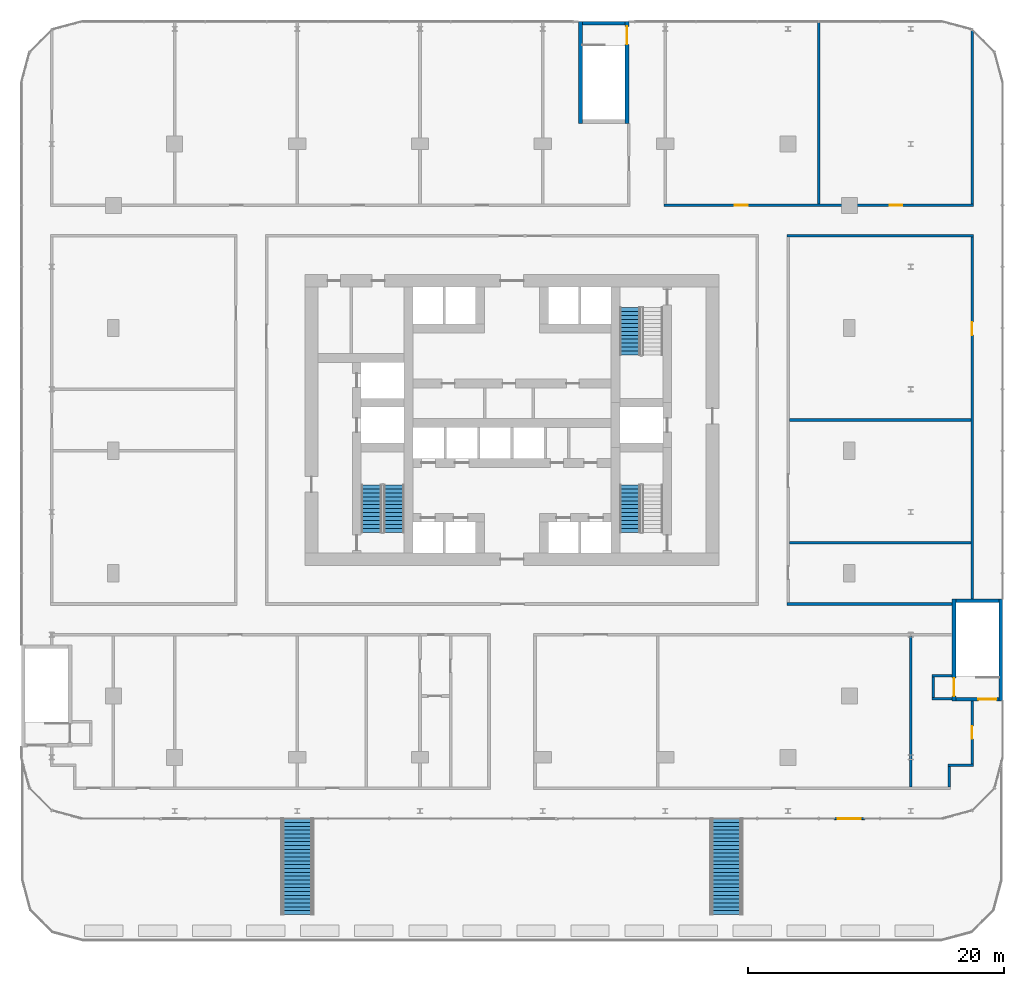
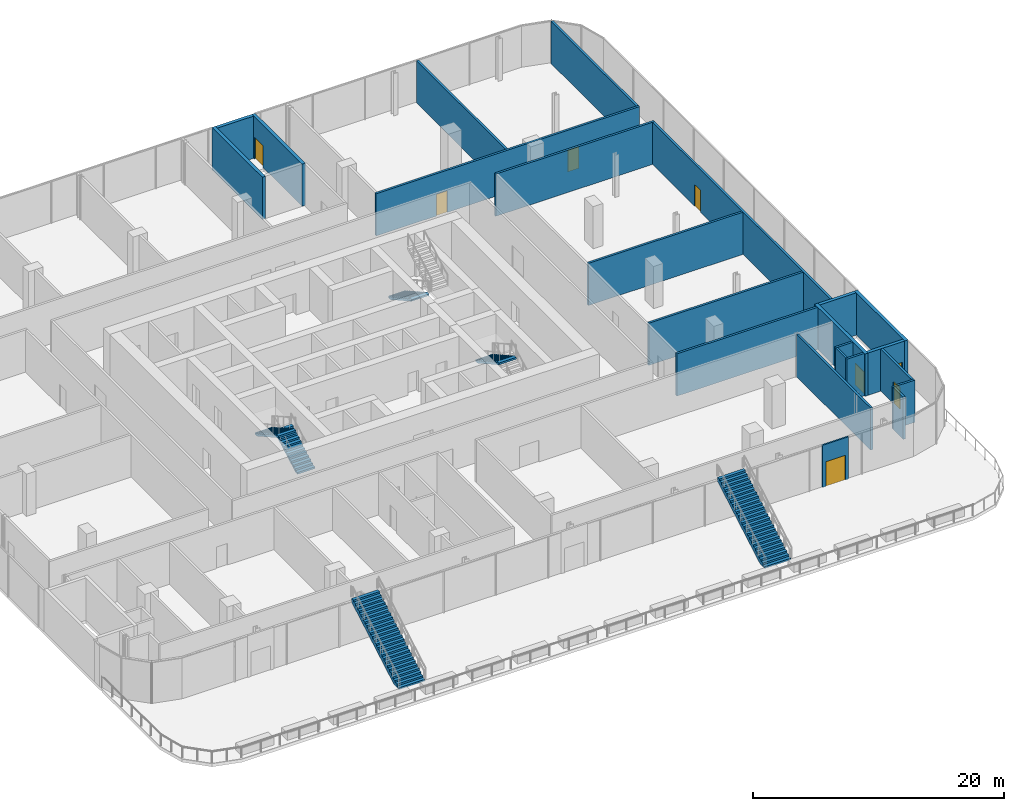
# One storey, part 25 of 32: 23 walls, 8 doors, 6 stair flights, 8 openings, 5 elements without a shape of their own.
"""IFC4 building model written with IfcOpenShell, lengths in metres."""

from ifc_helpers import new_model, si_unit, direction, frame, frame_2d, origin, place, context, subcontext, project, spatial, polyline, rectangle, outline, extrude, material, layer, layer_set, type_object, element, fill, aggregate, save


model = new_model("IFC4")

# Units and contexts
model_context = context("Model", 3, precision=1e-05, world=origin(), true_north=direction((0.0, 1.0)))
body_context = subcontext(model_context, "Body", "Model", "MODEL_VIEW")
ifc_project = project(units=[si_unit("LENGTHUNIT", "METRE"), si_unit("AREAUNIT", "SQUARE_METRE"), si_unit("VOLUMEUNIT", "CUBIC_METRE"), si_unit("PLANEANGLEUNIT", "RADIAN"), si_unit("MASSUNIT", "GRAM", prefix="KILO")], contexts=[model_context])

# Site, building, storey
site_placement = place(None, origin())
site = spatial("IfcSite", under=ifc_project, at=site_placement, CompositionType="ELEMENT")
building_placement = place(site_placement, origin())
building = spatial("IfcBuilding", under=site, at=building_placement, Name="Madar Terraces", CompositionType="ELEMENT")
storey_placement = place(building_placement, frame((0.0, 0.0, 19.5)))
storey = spatial("IfcBuildingStorey", under=building, at=storey_placement, Name="L04", CompositionType="ELEMENT", Elevation=19.5)

# Wall, opening, door
ifc_material_1 = material(Name="Aluminium composite panel, black, over insulated backing", Category="aluminium")
ifc_layer_1 = layer(ifc_material_1, 0.14990234375)
ifc_layer_set_1 = layer_set([ifc_layer_1], Name="Facade bay panel 150")
wall_type_1 = type_object("IfcWallType", Name="Facade bay panel 150", PredefinedType="SOLIDWALL", material=ifc_layer_set_1)
wall_1_placement = place(storey_placement, frame((56.39990234375, -4.800048828125, 0.0), z_axis=(0.0, 0.0, 1.0), x_axis=(1.0, 0.0, 0.0)))
wall_1 = element("IfcWall", 1, at=wall_1_placement, inside=storey, type_object=wall_type_1, Name="Facade bay panel", PredefinedType="SOLIDWALL", context=body_context, shape_type="SweptSolid", body=[
    extrude(rectangle(XDim=2.400146484375, YDim=0.14990234375, at=frame_2d((1.2001953125, 0.0))), origin(), (0.0, 0.0, 1.0), 4.10009765625),
])
opening_1_placement = place(wall_1_placement, frame((0.300048828125, 0.0, 0.0)))
opening_1 = element("IfcOpeningElement", 2, at=opening_1_placement, cuts=wall_1, Name="Opening ED1", PredefinedType="OPENING", context=body_context, shape_type="SweptSolid", body=[
    extrude(rectangle(XDim=1.800048828125, YDim=2.39990234375, at=frame_2d((0.89990234375, 1.199951171875))), frame((0.0, 0.0849609375, 0.0), z_axis=(0.0, -1.0, 0.0), x_axis=(1.0, 0.0, 0.0)), (0.0, 0.0, 1.0), 0.169921875),
])
ifc_material_2 = material(Name="Glass, clear, with black aluminium frame", Category="aluminium")
door_type_1 = type_object("IfcDoorType", Name="Balcony and terrace sliding door 1800 x 2400", OperationType="SLIDING_TO_LEFT", PredefinedType="DOOR", material=ifc_material_2)
door_1_placement = place(opening_1_placement, origin())
door_1 = element("IfcDoor", 3, at=door_1_placement, inside=storey, type_object=door_type_1, Name="Balcony door", OperationType="SLIDING_TO_LEFT", OverallHeight=2.39990234375, OverallWidth=1.800048828125, PredefinedType="DOOR", context=body_context, shape_type="SweptSolid", body=[
    extrude(rectangle(XDim=1.800048828125, YDim=2.39990234375, at=frame_2d((0.89990234375, 1.199951171875))), frame((0.0, 0.02490234375, 0.0), z_axis=(0.0, -1.0, 0.0), x_axis=(1.0, 0.0, 0.0)), (0.0, 0.0, 1.0), 0.050048828125),
])
fill(opening_1, door_1)

# Walls
ifc_material_3 = material(Name="Gypsum board partition, fire-rated")
ifc_layer_2 = layer(ifc_material_3, 0.199951171875)
ifc_layer_set_2 = layer_set([ifc_layer_2], Name="Partition 200 EI 60")
wall_type_2 = type_object("IfcWallType", Name="Partition 200 EI 60", PredefinedType="PARTITIONING", material=ifc_layer_set_2)
wall_2_placement = place(storey_placement, frame((65.300048828125, -0.60009765625, 0.0), z_axis=(0.0, 0.0, 1.0), x_axis=(1.0, 0.0, 0.0)))
element("IfcWall", 4, at=wall_2_placement, inside=storey, type_object=wall_type_2, Name="Wall LAUNDRETTE / PODIUM CORRIDOR", PredefinedType="PARTITIONING", context=body_context, shape_type="SweptSolid", body=[
    extrude(rectangle(XDim=2.0, YDim=0.199951171875, at=frame_2d((1.0, 0.0))), origin(), (0.0, 0.0, 1.0), 4.10009765625),
])
for number, where, z_axis, x_axis, name in (
    (5, (64.050048828125, 4.60009765625, 0.0), (0.0, 0.0, 1.0), (1.0, 0.0, 0.0), "Wall LAUNDRETTE / PODIUM CORRIDOR"),
    (6, (64.050048828125, 6.39990234375, 0.0), (0.0, 0.0, 1.0), (1.0, 0.0, 0.0), "Wall LAUNDRETTE / PODIUM CORRIDOR"),
):
    element("IfcWall", number, at=place(storey_placement, frame(where, z_axis=z_axis, x_axis=x_axis)), inside=storey, type_object=wall_type_2, Name=name, PredefinedType="PARTITIONING", context=body_context, shape_type="SweptSolid", body=[
        extrude(rectangle(XDim=1.599853515625, YDim=0.199951171875, at=frame_2d((0.7998046875, 0.0))), origin(), (0.0, 0.0, 1.0), 4.10009765625),
    ])
wall_3_placement = place(storey_placement, frame((52.699951171875, 12.0, 0.0), z_axis=(0.0, 0.0, 1.0), x_axis=(1.0, 0.0, 0.0)))
element("IfcWall", 7, at=wall_3_placement, inside=storey, type_object=wall_type_2, Name="Wall GAMES ROOM / PODIUM CORRIDOR", PredefinedType="PARTITIONING", context=body_context, shape_type="SweptSolid", body=[
    extrude(rectangle(XDim=12.949951171875, YDim=0.199951171875, at=frame_2d((6.47509765625, 0.0))), origin(), (0.0, 0.0, 1.0), 4.10009765625),
])
for number, where, z_axis, x_axis, name in (
    (8, (52.89990234375, 16.800048828125, 0.0), (0.0, 0.0, 1.0), (1.0, 0.0, 0.0), "Wall GAMES ROOM / GAMES ROOM"),
    (9, (52.89990234375, 26.39990234375, 0.0), (0.0, 0.0, 1.0), (1.0, 0.0, 0.0), "Wall GAMES ROOM / STORE"),
):
    element("IfcWall", number, at=place(storey_placement, frame(where, z_axis=z_axis, x_axis=x_axis)), inside=storey, type_object=wall_type_2, Name=name, PredefinedType="PARTITIONING", context=body_context, shape_type="SweptSolid", body=[
        extrude(rectangle(XDim=14.2001953125, YDim=0.199951171875, at=frame_2d((7.10009765625, 0.0))), origin(), (0.0, 0.0, 1.0), 4.10009765625),
    ])
wall_4_placement = place(storey_placement, frame((52.699951171875, 40.800048828125, 0.0), z_axis=(0.0, 0.0, 1.0), x_axis=(1.0, 0.0, 0.0)))
element("IfcWall", 10, at=wall_4_placement, inside=storey, type_object=wall_type_2, Name="Wall STORE / PODIUM CORRIDOR", PredefinedType="PARTITIONING", context=body_context, shape_type="SweptSolid", body=[
    extrude(rectangle(XDim=14.60009765625, YDim=0.199951171875, at=frame_2d((7.300048828125, 0.0))), origin(), (0.0, 0.0, 1.0), 4.10009765625),
])

# Wall, openings, doors
wall_5_placement = place(storey_placement, frame((43.10009765625, 43.199951171875, 0.0), z_axis=(0.0, 0.0, 1.0), x_axis=(1.0, 0.0, 0.0)))
wall_5 = element("IfcWall", 11, at=wall_5_placement, inside=storey, type_object=wall_type_2, Name="Wall CLEANERS STORE + STORE", PredefinedType="PARTITIONING", context=body_context, shape_type="SweptSolid", body=[
    extrude(rectangle(XDim=24.199951171875, YDim=0.199951171875, at=frame_2d((12.10009765625, 0.0))), origin(), (0.0, 0.0, 1.0), 4.10009765625),
])
opening_2_placement = place(wall_5_placement, frame((5.550048828125, 0.0, 0.0)))
opening_2 = element("IfcOpeningElement", 12, at=opening_2_placement, cuts=wall_5, Name="Opening D31", PredefinedType="OPENING", context=body_context, shape_type="SweptSolid", body=[
    extrude(rectangle(XDim=1.0, YDim=2.10009765625, at=frame_2d((0.5, 1.050048828125))), frame((0.0, 0.10986328125, 0.0), z_axis=(0.0, -1.0, 0.0), x_axis=(1.0, 0.0, 0.0)), (0.0, 0.0, 1.0), 0.219970703125),
])
opening_3_placement = place(wall_5_placement, frame((17.64990234375, 0.0, 0.0)))
opening_3 = element("IfcOpeningElement", 13, at=opening_3_placement, cuts=wall_5, Name="Opening D31", PredefinedType="OPENING", context=body_context, shape_type="SweptSolid", body=[
    extrude(rectangle(XDim=1.0, YDim=2.10009765625, at=frame_2d((0.5, 1.050048828125))), frame((0.0, 0.10986328125, 0.0), z_axis=(0.0, -1.0, 0.0), x_axis=(1.0, 0.0, 0.0)), (0.0, 0.0, 1.0), 0.219970703125),
])
ifc_material_4 = material(Name="Timber door leaf, fire-rated", Category="wood")
door_type_2 = type_object("IfcDoorType", Name="Podium door 1000 x 2100 FD30S", OperationType="NOTDEFINED", PredefinedType="DOOR", material=ifc_material_4)
door_2_placement = place(opening_2_placement, origin())
door_2 = element("IfcDoor", 14, at=door_2_placement, inside=storey, type_object=door_type_2, Name="Door STORE / PODIUM CORRIDOR", OperationType="SINGLE_SWING_LEFT", OverallHeight=2.10009765625, OverallWidth=1.0, PredefinedType="DOOR", context=body_context, shape_type="SweptSolid", body=[
    extrude(rectangle(XDim=1.0, YDim=2.10009765625, at=frame_2d((0.5, 1.050048828125))), frame((0.0, 0.02490234375, 0.0), z_axis=(0.0, -1.0, 0.0), x_axis=(1.0, 0.0, 0.0)), (0.0, 0.0, 1.0), 0.050048828125),
])
fill(opening_2, door_2)
door_3_placement = place(opening_3_placement, origin())
door_3 = element("IfcDoor", 15, at=door_3_placement, inside=storey, type_object=door_type_2, Name="Door CLEANERS STORE / PODIUM CORRIDOR", OperationType="SINGLE_SWING_LEFT", OverallHeight=2.10009765625, OverallWidth=1.0, PredefinedType="DOOR", context=body_context, shape_type="SweptSolid", body=[
    extrude(rectangle(XDim=1.0, YDim=2.10009765625, at=frame_2d((0.5, 1.050048828125))), frame((0.0, 0.02490234375, 0.0), z_axis=(0.0, -1.0, 0.0), x_axis=(1.0, 0.0, 0.0)), (0.0, 0.0, 1.0), 0.050048828125),
])
fill(opening_3, door_3)

# Walls
wall_6_placement = place(storey_placement, frame((55.199951171875, 43.300048828125, 0.0), z_axis=(0.0, 0.0, 1.0), x_axis=(0.0, 1.0, 0.0)))
element("IfcWall", 16, at=wall_6_placement, inside=storey, type_object=wall_type_2, Name="Wall STORE / CLEANERS STORE", PredefinedType="PARTITIONING", context=body_context, shape_type="SweptSolid", body=[
    extrude(rectangle(XDim=14.199951171875, YDim=0.199951171875, at=frame_2d((7.10009765625, 0.0))), origin(), (0.0, 0.0, 1.0), 4.10009765625),
])
wall_7_placement = place(storey_placement, frame((62.39990234375, -2.300048828125, 0.0), z_axis=(0.0, 0.0, 1.0), x_axis=(0.0, 1.0, 0.0)))
element("IfcWall", 17, at=wall_7_placement, inside=storey, type_object=wall_type_2, Name="Wall RESIDENTS LOUNGE / LAUNDRETTE", PredefinedType="PARTITIONING", context=body_context, shape_type="SweptSolid", body=[
    extrude(rectangle(XDim=11.800048828125, YDim=0.199951171875, at=frame_2d((5.89990234375, 0.0))), origin(), (0.0, 0.0, 1.0), 4.10009765625),
])
for number, where, z_axis, x_axis, name in (
    (18, (64.14990234375, 4.699951171875, 0.0), (0.0, 0.0, 1.0), (0.0, 1.0, 0.0), "Wall LAUNDRETTE / PODIUM CORRIDOR"),
    (19, (65.39990234375, -2.300048828125, 0.0), (0.0, 0.0, 1.0), (0.0, 1.0, 0.0), "Wall LAUNDRETTE / PODIUM CORRIDOR"),
):
    element("IfcWall", number, at=place(storey_placement, frame(where, z_axis=z_axis, x_axis=x_axis)), inside=storey, type_object=wall_type_2, Name=name, PredefinedType="PARTITIONING", context=body_context, shape_type="SweptSolid", body=[
        extrude(rectangle(XDim=1.60009765625, YDim=0.199951171875, at=frame_2d((0.800048828125, 0.0))), origin(), (0.0, 0.0, 1.0), 4.10009765625),
    ])

# Wall, opening, door
wall_8_placement = place(storey_placement, frame((67.199951171875, -0.5, 0.0), z_axis=(0.0, 0.0, 1.0), x_axis=(0.0, 1.0, 0.0)))
wall_8 = element("IfcWall", 20, at=wall_8_placement, inside=storey, type_object=wall_type_2, Name="Wall LAUNDRETTE / PODIUM CORRIDOR", PredefinedType="PARTITIONING", context=body_context, shape_type="SweptSolid", body=[
    extrude(rectangle(XDim=4.89990234375, YDim=0.199951171875, at=frame_2d((2.449951171875, 0.0))), origin(), (0.0, 0.0, 1.0), 4.10009765625),
])
opening_4_placement = place(wall_8_placement, frame((1.949951171875, 0.0, 0.0)))
opening_4 = element("IfcOpeningElement", 21, at=opening_4_placement, cuts=wall_8, Name="Opening D31", PredefinedType="OPENING", context=body_context, shape_type="SweptSolid", body=[
    extrude(rectangle(XDim=1.0, YDim=2.10009765625, at=frame_2d((0.5, 1.050048828125))), frame((0.0, 0.10986328125, 0.0), z_axis=(0.0, -1.0, 0.0), x_axis=(1.0, 0.0, 0.0)), (0.0, 0.0, 1.0), 0.219970703125),
])
door_4_placement = place(opening_4_placement, origin())
door_4 = element("IfcDoor", 22, at=door_4_placement, inside=storey, type_object=door_type_2, Name="Door LAUNDRETTE / PODIUM CORRIDOR", OperationType="SINGLE_SWING_LEFT", OverallHeight=2.10009765625, OverallWidth=1.0, PredefinedType="DOOR", context=body_context, shape_type="SweptSolid", body=[
    extrude(rectangle(XDim=1.0, YDim=2.10009765625, at=frame_2d((0.5, 1.050048828125))), frame((0.0, 0.02490234375, 0.0), z_axis=(0.0, -1.0, 0.0), x_axis=(1.0, 0.0, 0.0)), (0.0, 0.0, 1.0), 0.050048828125),
])
fill(opening_4, door_4)

wall_9_placement = place(storey_placement, frame((67.199951171875, 12.39990234375, 0.0), z_axis=(0.0, 0.0, 1.0), x_axis=(0.0, 1.0, 0.0)))
wall_9 = element("IfcWall", 23, at=wall_9_placement, inside=storey, type_object=wall_type_2, Name="Wall GAMES ROOM + STORE", PredefinedType="PARTITIONING", context=body_context, shape_type="SweptSolid", body=[
    extrude(rectangle(XDim=28.300048828125, YDim=0.199951171875, at=frame_2d((14.14990234375, 0.0))), origin(), (0.0, 0.0, 1.0), 4.10009765625),
])
opening_5_placement = place(wall_9_placement, frame((20.64990234375, 0.0, 0.0)))
opening_5 = element("IfcOpeningElement", 24, at=opening_5_placement, cuts=wall_9, Name="Opening D31", PredefinedType="OPENING", context=body_context, shape_type="SweptSolid", body=[
    extrude(rectangle(XDim=1.0, YDim=2.10009765625, at=frame_2d((0.5, 1.050048828125))), frame((0.0, 0.10986328125, 0.0), z_axis=(0.0, -1.0, 0.0), x_axis=(1.0, 0.0, 0.0)), (0.0, 0.0, 1.0), 0.219970703125),
])
door_5_placement = place(opening_5_placement, origin())
door_5 = element("IfcDoor", 25, at=door_5_placement, inside=storey, type_object=door_type_2, Name="Door STORE / PODIUM CORRIDOR", OperationType="SINGLE_SWING_RIGHT", OverallHeight=2.10009765625, OverallWidth=1.0, PredefinedType="DOOR", context=body_context, shape_type="SweptSolid", body=[
    extrude(rectangle(XDim=1.0, YDim=2.10009765625, at=frame_2d((0.5, 1.050048828125))), frame((0.0, 0.02490234375, 0.0), z_axis=(0.0, -1.0, 0.0), x_axis=(1.0, 0.0, 0.0)), (0.0, 0.0, 1.0), 0.050048828125),
])
fill(opening_5, door_5)

# Walls
wall_10_placement = place(storey_placement, frame((67.199951171875, 43.300048828125, 0.0), z_axis=(0.0, 0.0, 1.0), x_axis=(0.0, 1.0, 0.0)))
element("IfcWall", 26, at=wall_10_placement, inside=storey, type_object=wall_type_2, Name="Wall CLEANERS STORE / PODIUM CORRIDOR", PredefinedType="PARTITIONING", context=body_context, shape_type="SweptSolid", body=[
    extrude(rectangle(XDim=13.56005859375, YDim=0.199951171875, at=frame_2d((6.780029296875, 0.0))), origin(), (0.0, 0.0, 1.0), 4.10009765625),
])
ifc_material_5 = material(Name="Concrete C40/50", Category="concrete")
ifc_layer_3 = layer(ifc_material_5, 0.300048828125)
ifc_layer_set_3 = layer_set([ifc_layer_3], Name="Podium stair wall 300 C40/50")
wall_type_3 = type_object("IfcWallType", Name="Podium stair wall 300 C40/50", PredefinedType="SOLIDWALL", material=ifc_layer_set_3)
wall_11_placement = place(storey_placement, frame((36.550048828125, 49.60009765625, 0.0), z_axis=(0.0, 0.0, 1.0), x_axis=(0.0, 1.0, 0.0)))
element("IfcWall", 27, at=wall_11_placement, inside=storey, type_object=wall_type_3, Name="PODIUM STAIR WALL", PredefinedType="SOLIDWALL", context=body_context, shape_type="SweptSolid", body=[
    extrude(rectangle(XDim=8.0, YDim=0.300048828125, at=frame_2d((4.0, 0.0))), origin(), (0.0, 0.0, 1.0), 4.10009765625),
])

# Wall, opening, door
wall_12_placement = place(storey_placement, frame((40.199951171875, 49.60009765625, 0.0), z_axis=(0.0, 0.0, 1.0), x_axis=(0.0, 1.0, 0.0)))
wall_12 = element("IfcWall", 28, at=wall_12_placement, inside=storey, type_object=wall_type_3, Name="PODIUM STAIR WALL", PredefinedType="SOLIDWALL", context=body_context, shape_type="SweptSolid", body=[
    extrude(rectangle(XDim=8.0, YDim=0.300048828125, at=frame_2d((4.0, 0.0))), origin(), (0.0, 0.0, 1.0), 4.10009765625),
])
opening_6_placement = place(wall_12_placement, frame((6.199951171875, 0.0, 0.0)))
opening_6 = element("IfcOpeningElement", 29, at=opening_6_placement, cuts=wall_12, Name="Opening PSD1", PredefinedType="OPENING", context=body_context, shape_type="SweptSolid", body=[
    extrude(rectangle(XDim=1.39990234375, YDim=2.10009765625, at=frame_2d((0.699951171875, 1.050048828125))), frame((0.0, 0.159912109375, 0.0), z_axis=(0.0, -1.0, 0.0), x_axis=(1.0, 0.0, 0.0)), (0.0, 0.0, 1.0), 0.320068359375),
])
ifc_material_6 = material(Name="Steel door leaf", Category="steel")
door_type_3 = type_object("IfcDoorType", Name="Podium stair door pair 1400 x 2100", OperationType="DOUBLE_DOOR_SINGLE_SWING", PredefinedType="DOOR", material=ifc_material_6)
door_6_placement = place(opening_6_placement, origin())
door_6 = element("IfcDoor", 30, at=door_6_placement, inside=storey, type_object=door_type_3, Name="STAIR DOOR", OperationType="DOUBLE_DOOR_SINGLE_SWING", OverallHeight=2.10009765625, OverallWidth=1.39990234375, PredefinedType="DOOR", context=body_context, shape_type="SweptSolid", body=[
    extrude(rectangle(XDim=1.39990234375, YDim=2.10009765625, at=frame_2d((0.699951171875, 1.050048828125))), frame((0.0, 0.02490234375, 0.0), z_axis=(0.0, -1.0, 0.0), x_axis=(1.0, 0.0, 0.0)), (0.0, 0.0, 1.0), 0.050048828125),
])
fill(opening_6, door_6)

wall_13_placement = place(storey_placement, frame((65.800048828125, 4.39990234375, 0.0), z_axis=(0.0, 0.0, 1.0), x_axis=(0.0, 1.0, 0.0)))
wall_13 = element("IfcWall", 31, at=wall_13_placement, inside=storey, type_object=wall_type_3, Name="PODIUM STAIR WALL", PredefinedType="SOLIDWALL", context=body_context, shape_type="SweptSolid", body=[
    extrude(rectangle(XDim=8.0, YDim=0.300048828125, at=frame_2d((4.0, 0.0))), origin(), (0.0, 0.0, 1.0), 4.10009765625),
])
opening_7_placement = place(wall_13_placement, frame((0.39990234375, 0.0, 0.0)))
opening_7 = element("IfcOpeningElement", 32, at=opening_7_placement, cuts=wall_13, Name="Opening PSD1", PredefinedType="OPENING", context=body_context, shape_type="SweptSolid", body=[
    extrude(rectangle(XDim=1.39990234375, YDim=2.10009765625, at=frame_2d((0.699951171875, 1.050048828125))), frame((0.0, 0.159912109375, 0.0), z_axis=(0.0, -1.0, 0.0), x_axis=(1.0, 0.0, 0.0)), (0.0, 0.0, 1.0), 0.320068359375),
])
door_7_placement = place(opening_7_placement, frame((1.39990234375, 0.0, 0.0), z_axis=(0.0, 0.0, 1.0), x_axis=(-1.0, 0.0, 0.0)))
door_7 = element("IfcDoor", 33, at=door_7_placement, inside=storey, type_object=door_type_3, Name="STAIR DOOR", OperationType="DOUBLE_DOOR_SINGLE_SWING", OverallHeight=2.10009765625, OverallWidth=1.39990234375, PredefinedType="DOOR", context=body_context, shape_type="SweptSolid", body=[
    extrude(rectangle(XDim=1.39990234375, YDim=2.10009765625, at=frame_2d((0.699951171875, 1.050048828125))), frame((0.0, 0.02490234375, 0.0), z_axis=(0.0, -1.0, 0.0), x_axis=(1.0, 0.0, 0.0)), (0.0, 0.0, 1.0), 0.050048828125),
])
fill(opening_7, door_7)

wall_14_placement = place(storey_placement, frame((65.949951171875, 4.550048828125, 0.0), z_axis=(0.0, 0.0, 1.0), x_axis=(1.0, 0.0, 0.0)))
wall_14 = element("IfcWall", 34, at=wall_14_placement, inside=storey, type_object=wall_type_3, Name="PODIUM STAIR WALL", PredefinedType="SOLIDWALL", context=body_context, shape_type="SweptSolid", body=[
    extrude(rectangle(XDim=3.35009765625, YDim=0.300048828125, at=frame_2d((1.675048828125, 0.0))), origin(), (0.0, 0.0, 1.0), 4.10009765625),
])
opening_8_placement = place(wall_14_placement, frame((1.75, 0.0, 0.0)))
opening_8 = element("IfcOpeningElement", 35, at=opening_8_placement, cuts=wall_14, Name="Opening PSD1", PredefinedType="OPENING", context=body_context, shape_type="SweptSolid", body=[
    extrude(rectangle(XDim=1.39990234375, YDim=2.10009765625, at=frame_2d((0.699951171875, 1.050048828125))), frame((0.0, 0.159912109375, 0.0), z_axis=(0.0, -1.0, 0.0), x_axis=(1.0, 0.0, 0.0)), (0.0, 0.0, 1.0), 0.320068359375),
])
door_8_placement = place(opening_8_placement, origin())
door_8 = element("IfcDoor", 36, at=door_8_placement, inside=storey, type_object=door_type_3, Name="STAIR DOOR", OperationType="DOUBLE_DOOR_SINGLE_SWING", OverallHeight=2.10009765625, OverallWidth=1.39990234375, PredefinedType="DOOR", context=body_context, shape_type="SweptSolid", body=[
    extrude(rectangle(XDim=1.39990234375, YDim=2.10009765625, at=frame_2d((0.699951171875, 1.050048828125))), frame((0.0, 0.02490234375, 0.0), z_axis=(0.0, -1.0, 0.0), x_axis=(1.0, 0.0, 0.0)), (0.0, 0.0, 1.0), 0.050048828125),
])
fill(opening_8, door_8)

# Walls
wall_15_placement = place(storey_placement, frame((65.949951171875, 12.25, 0.0), z_axis=(0.0, 0.0, 1.0), x_axis=(1.0, 0.0, 0.0)))
element("IfcWall", 37, at=wall_15_placement, inside=storey, type_object=wall_type_3, Name="PODIUM STAIR WALL", PredefinedType="SOLIDWALL", context=body_context, shape_type="SweptSolid", body=[
    extrude(rectangle(XDim=3.35009765625, YDim=0.300048828125, at=frame_2d((1.675048828125, 0.0))), origin(), (0.0, 0.0, 1.0), 4.10009765625),
])
ifc_material_7 = material(Name="Concrete C40/50", Category="concrete")
ifc_layer_4 = layer(ifc_material_7, 0.300048828125)
ifc_layer_set_4 = layer_set([ifc_layer_4], Name="Podium stair wall 300 C40/50, external")
wall_type_4 = type_object("IfcWallType", Name="Podium stair wall 300 C40/50, external", PredefinedType="SOLIDWALL", material=ifc_layer_set_4)
wall_16_placement = place(storey_placement, frame((36.699951171875, 57.449951171875, 0.0), z_axis=(0.0, 0.0, 1.0), x_axis=(1.0, 0.0, 0.0)))
element("IfcWall", 38, at=wall_16_placement, inside=storey, type_object=wall_type_4, Name="PODIUM STAIR WALL", PredefinedType="SOLIDWALL", context=body_context, shape_type="SweptSolid", body=[
    extrude(rectangle(XDim=3.35009765625, YDim=0.300048828125, at=frame_2d((1.675048828125, 0.0))), origin(), (0.0, 0.0, 1.0), 4.10009765625),
])
wall_17_placement = place(storey_placement, frame((69.449951171875, 4.39990234375, 0.0), z_axis=(0.0, 0.0, 1.0), x_axis=(0.0, 1.0, 0.0)))
element("IfcWall", 39, at=wall_17_placement, inside=storey, type_object=wall_type_4, Name="PODIUM STAIR WALL", PredefinedType="SOLIDWALL", context=body_context, shape_type="SweptSolid", body=[
    extrude(rectangle(XDim=8.0, YDim=0.300048828125, at=frame_2d((4.0, 0.0))), origin(), (0.0, 0.0, 1.0), 4.10009765625),
])

# Stair, stair flight
ifc_material_8 = material(Name="Concrete C40/50", Category="concrete")
stair_type_1 = type_object("IfcStairType", Name="Cascade stair 2400", PredefinedType="STRAIGHT_RUN_STAIR", material=ifc_material_8)
stair_1_placement = place(storey_placement, origin())
stair_1 = element("IfcStair", 40, at=stair_1_placement, inside=storey, type_object=stair_type_1, Name="Cascade stair L05 1", PredefinedType="STRAIGHT_RUN_STAIR")
ifc_material_9 = material(Name="Concrete C40/50", Category="concrete")
stair_flight_type_1 = type_object("IfcStairFlightType", Name="Stair flight CS1-F2, 2400 wide, 26 risers", PredefinedType="STRAIGHT", material=ifc_material_9)
stair_flight_1_placement = place(storey_placement, frame((14.39990234375, -12.300048828125, 0.0), z_axis=(0.0, 0.0, 1.0), x_axis=(0.0, 1.0, 0.0)))
stair_flight_1 = element("IfcStairFlight", 41, at=stair_flight_1_placement, type_object=stair_flight_type_1, Name="CS1 flight 1", NumberOfRisers=26, NumberOfTreads=25, PredefinedType="STRAIGHT", RiserHeight=0.173076923, TreadLength=0.3, context=body_context, shape_type="SweptSolid", body=[
    extrude(outline(polyline([(0.0, 0.0), (0.0, 0.173095703125), (0.300048828125, 0.173095703125), (0.300048828125, 0.34619140625), (0.60009765625, 0.34619140625), (0.60009765625, 0.519287109375), (0.89990234375, 0.519287109375), (0.89990234375, 0.6923828125), (1.199951171875, 0.6923828125), (1.199951171875, 0.865478515625), (1.5, 0.865478515625), (1.5, 1.03857421875), (1.800048828125, 1.03857421875), (1.800048828125, 1.21142578125), (2.10009765625, 1.21142578125), (2.10009765625, 1.384521484375), (2.39990234375, 1.384521484375), (2.39990234375, 1.5576171875), (2.699951171875, 1.5576171875), (2.699951171875, 1.730712890625), (3.0, 1.730712890625), (3.0, 1.90380859375), (3.300048828125, 1.90380859375), (3.300048828125, 2.076904296875), (3.60009765625, 2.076904296875), (3.60009765625, 2.25), (3.89990234375, 2.25), (3.89990234375, 2.423095703125), (4.199951171875, 2.423095703125), (4.199951171875, 2.59619140625), (4.5, 2.59619140625), (4.5, 2.769287109375), (4.800048828125, 2.769287109375), (4.800048828125, 2.9423828125), (5.10009765625, 2.9423828125), (5.10009765625, 3.115478515625), (5.39990234375, 3.115478515625), (5.39990234375, 3.28857421875), (5.699951171875, 3.28857421875), (5.699951171875, 3.46142578125), (6.0, 3.46142578125), (6.0, 3.634521484375), (6.300048828125, 3.634521484375), (6.300048828125, 3.8076171875), (6.60009765625, 3.8076171875), (6.60009765625, 3.980712890625), (6.89990234375, 3.980712890625), (6.89990234375, 4.15380859375), (7.199951171875, 4.15380859375), (7.199951171875, 4.326904296875), (7.5, 4.326904296875), (7.5, 4.5), (7.5, 3.9228515625), (0.70068359375, 0.0), (0.0, 0.0)])), frame((0.0, 1.199951171875, 0.0), z_axis=(0.0, -1.0, 0.0), x_axis=(1.0, 0.0, 0.0)), (0.0, 0.0, 1.0), 2.39990234375),
])
aggregate(stair_1, [stair_flight_1])

stair_2_placement = place(storey_placement, origin())
stair_2 = element("IfcStair", 42, at=stair_2_placement, inside=storey, type_object=stair_type_1, Name="Cascade stair L05 2", PredefinedType="STRAIGHT_RUN_STAIR")
stair_flight_2_placement = place(storey_placement, frame((48.0, -12.300048828125, 0.0), z_axis=(0.0, 0.0, 1.0), x_axis=(0.0, 1.0, 0.0)))
stair_flight_2 = element("IfcStairFlight", 43, at=stair_flight_2_placement, type_object=stair_flight_type_1, Name="CS1 flight 1", NumberOfRisers=26, NumberOfTreads=25, PredefinedType="STRAIGHT", RiserHeight=0.173076923, TreadLength=0.3, context=body_context, shape_type="SweptSolid", body=[
    extrude(outline(polyline([(0.0, 0.0), (0.0, 0.173095703125), (0.300048828125, 0.173095703125), (0.300048828125, 0.34619140625), (0.60009765625, 0.34619140625), (0.60009765625, 0.519287109375), (0.89990234375, 0.519287109375), (0.89990234375, 0.6923828125), (1.199951171875, 0.6923828125), (1.199951171875, 0.865478515625), (1.5, 0.865478515625), (1.5, 1.03857421875), (1.800048828125, 1.03857421875), (1.800048828125, 1.21142578125), (2.10009765625, 1.21142578125), (2.10009765625, 1.384521484375), (2.39990234375, 1.384521484375), (2.39990234375, 1.5576171875), (2.699951171875, 1.5576171875), (2.699951171875, 1.730712890625), (3.0, 1.730712890625), (3.0, 1.90380859375), (3.300048828125, 1.90380859375), (3.300048828125, 2.076904296875), (3.60009765625, 2.076904296875), (3.60009765625, 2.25), (3.89990234375, 2.25), (3.89990234375, 2.423095703125), (4.199951171875, 2.423095703125), (4.199951171875, 2.59619140625), (4.5, 2.59619140625), (4.5, 2.769287109375), (4.800048828125, 2.769287109375), (4.800048828125, 2.9423828125), (5.10009765625, 2.9423828125), (5.10009765625, 3.115478515625), (5.39990234375, 3.115478515625), (5.39990234375, 3.28857421875), (5.699951171875, 3.28857421875), (5.699951171875, 3.46142578125), (6.0, 3.46142578125), (6.0, 3.634521484375), (6.300048828125, 3.634521484375), (6.300048828125, 3.8076171875), (6.60009765625, 3.8076171875), (6.60009765625, 3.980712890625), (6.89990234375, 3.980712890625), (6.89990234375, 4.15380859375), (7.199951171875, 4.15380859375), (7.199951171875, 4.326904296875), (7.5, 4.326904296875), (7.5, 4.5), (7.5, 3.9228515625), (0.70068359375, 0.0), (0.0, 0.0)])), frame((0.0, 1.199951171875, 0.0), z_axis=(0.0, -1.0, 0.0), x_axis=(1.0, 0.0, 0.0)), (0.0, 0.0, 1.0), 2.39990234375),
])
aggregate(stair_2, [stair_flight_2])

# Stair, stair flights
ifc_material_10 = material(Name="Concrete C50/60", Category="concrete")
stair_type_2 = type_object("IfcStairType", Name="Stair ST1 protected exit", PredefinedType="HALF_TURN_STAIR", material=ifc_material_10)
stair_3_placement = place(storey_placement, origin())
stair_3 = element("IfcStair", 44, at=stair_3_placement, inside=storey, type_object=stair_type_2, Name="L04 Protected Exit Stair ST1", PredefinedType="HALF_TURN_STAIR")
ifc_material_11 = material(Name="Concrete C50/60", Category="concrete")
stair_flight_type_2 = type_object("IfcStairFlightType", Name="Stair flight ST1-F2, 1600 wide, 13 risers", PredefinedType="STRAIGHT", material=ifc_material_11)
stair_flight_3_placement = place(storey_placement, frame((21.949951171875, 17.60009765625, 0.0), z_axis=(0.0, 0.0, 1.0), x_axis=(0.0, 1.0, 0.0)))
stair_flight_3 = element("IfcStairFlight", 45, at=stair_flight_3_placement, type_object=stair_flight_type_2, Name="ST1 flight 1", NumberOfRisers=13, NumberOfTreads=12, PredefinedType="STRAIGHT", RiserHeight=0.173076923, TreadLength=0.31, context=body_context, shape_type="SweptSolid", body=[
    extrude(outline(polyline([(0.0, 0.0), (0.0, 0.173095703125), (0.31005859375, 0.173095703125), (0.31005859375, 0.34619140625), (0.6201171875, 0.34619140625), (0.6201171875, 0.519287109375), (0.929931640625, 0.519287109375), (0.929931640625, 0.6923828125), (1.239990234375, 0.6923828125), (1.239990234375, 0.865478515625), (1.550048828125, 0.865478515625), (1.550048828125, 1.03857421875), (1.860107421875, 1.03857421875), (1.860107421875, 1.21142578125), (2.169921875, 1.21142578125), (2.169921875, 1.384521484375), (2.47998046875, 1.384521484375), (2.47998046875, 1.5576171875), (2.7900390625, 1.5576171875), (2.7900390625, 1.730712890625), (3.10009765625, 1.730712890625), (3.10009765625, 1.90380859375), (3.409912109375, 1.90380859375), (3.409912109375, 2.076904296875), (3.719970703125, 2.076904296875), (3.719970703125, 2.25), (3.719970703125, 1.9052734375), (0.3076171875, 0.0), (0.0, 0.0)])), frame((0.0, 0.800048828125, 0.0), z_axis=(0.0, -1.0, 0.0), x_axis=(1.0, 0.0, 0.0)), (0.0, 0.0, 1.0), 1.60009765625),
])
stair_flight_4_placement = place(storey_placement, frame((20.199951171875, 21.320068359375, 2.25), z_axis=(0.0, 0.0, 1.0), x_axis=(0.0, -1.0, 0.0)))
stair_flight_4 = element("IfcStairFlight", 46, at=stair_flight_4_placement, type_object=stair_flight_type_2, Name="ST1 flight 2", NumberOfRisers=13, NumberOfTreads=12, PredefinedType="STRAIGHT", RiserHeight=0.173076923, TreadLength=0.31, context=body_context, shape_type="SweptSolid", body=[
    extrude(outline(polyline([(0.0, 0.0), (0.0, 0.173095703125), (0.31005859375, 0.173095703125), (0.31005859375, 0.34619140625), (0.6201171875, 0.34619140625), (0.6201171875, 0.519287109375), (0.929931640625, 0.519287109375), (0.929931640625, 0.6923828125), (1.239990234375, 0.6923828125), (1.239990234375, 0.865478515625), (1.550048828125, 0.865478515625), (1.550048828125, 1.03857421875), (1.860107421875, 1.03857421875), (1.860107421875, 1.21142578125), (2.169921875, 1.21142578125), (2.169921875, 1.384521484375), (2.47998046875, 1.384521484375), (2.47998046875, 1.5576171875), (2.7900390625, 1.5576171875), (2.7900390625, 1.730712890625), (3.10009765625, 1.730712890625), (3.10009765625, 1.90380859375), (3.409912109375, 1.90380859375), (3.409912109375, 2.076904296875), (3.719970703125, 2.076904296875), (3.719970703125, 2.25), (3.719970703125, 1.9052734375), (0.3076171875, 0.0), (0.0, 0.0)])), frame((0.0, 0.800048828125, 0.0), z_axis=(0.0, -1.0, 0.0), x_axis=(1.0, 0.0, 0.0)), (0.0, 0.0, 1.0), 1.60009765625),
])
aggregate(stair_3, [stair_flight_3, stair_flight_4])

# Stair, stair flight
ifc_material_12 = material(Name="Concrete C50/60", Category="concrete")
stair_type_3 = type_object("IfcStairType", Name="Stair ST2 protected exit", PredefinedType="HALF_TURN_STAIR", material=ifc_material_12)
stair_4_placement = place(storey_placement, origin())
stair_4 = element("IfcStair", 47, at=stair_4_placement, inside=storey, type_object=stair_type_3, Name="L04 Protected Exit Stair ST2", PredefinedType="HALF_TURN_STAIR")
ifc_material_13 = material(Name="Concrete C50/60", Category="concrete")
stair_flight_type_3 = type_object("IfcStairFlightType", Name="Stair flight ST2-F2, 1600 wide, 13 risers", PredefinedType="STRAIGHT", material=ifc_material_13)
stair_flight_5_placement = place(storey_placement, frame((40.449951171875, 35.199951171875, 0.0), z_axis=(0.0, 0.0, 1.0), x_axis=(0.0, -1.0, 0.0)))
stair_flight_5 = element("IfcStairFlight", 48, at=stair_flight_5_placement, type_object=stair_flight_type_3, Name="ST2 flight 1", NumberOfRisers=13, NumberOfTreads=12, PredefinedType="STRAIGHT", RiserHeight=0.173076923, TreadLength=0.31, context=body_context, shape_type="SweptSolid", body=[
    extrude(outline(polyline([(0.0, 0.0), (0.0, 0.173095703125), (0.31005859375, 0.173095703125), (0.31005859375, 0.34619140625), (0.6201171875, 0.34619140625), (0.6201171875, 0.519287109375), (0.929931640625, 0.519287109375), (0.929931640625, 0.6923828125), (1.239990234375, 0.6923828125), (1.239990234375, 0.865478515625), (1.550048828125, 0.865478515625), (1.550048828125, 1.03857421875), (1.860107421875, 1.03857421875), (1.860107421875, 1.21142578125), (2.169921875, 1.21142578125), (2.169921875, 1.384521484375), (2.47998046875, 1.384521484375), (2.47998046875, 1.5576171875), (2.7900390625, 1.5576171875), (2.7900390625, 1.730712890625), (3.10009765625, 1.730712890625), (3.10009765625, 1.90380859375), (3.409912109375, 1.90380859375), (3.409912109375, 2.076904296875), (3.719970703125, 2.076904296875), (3.719970703125, 2.25), (3.719970703125, 1.9052734375), (0.3076171875, 0.0), (0.0, 0.0)])), frame((0.0, 0.800048828125, 0.0), z_axis=(0.0, -1.0, 0.0), x_axis=(1.0, 0.0, 0.0)), (0.0, 0.0, 1.0), 1.60009765625),
])
aggregate(stair_4, [stair_flight_5])

ifc_material_14 = material(Name="Concrete C50/60", Category="concrete")
stair_type_4 = type_object("IfcStairType", Name="Stair ST3 protected exit", PredefinedType="HALF_TURN_STAIR", material=ifc_material_14)
stair_5_placement = place(storey_placement, origin())
stair_5 = element("IfcStair", 49, at=stair_5_placement, inside=storey, type_object=stair_type_4, Name="L04 Protected Exit Stair ST3", PredefinedType="HALF_TURN_STAIR")
ifc_material_15 = material(Name="Concrete C50/60", Category="concrete")
stair_flight_type_4 = type_object("IfcStairFlightType", Name="Stair flight ST3-F2, 1600 wide, 13 risers", PredefinedType="STRAIGHT", material=ifc_material_15)
stair_flight_6_placement = place(storey_placement, frame((40.449951171875, 21.320068359375, 2.25), z_axis=(0.0, 0.0, 1.0), x_axis=(0.0, -1.0, 0.0)))
stair_flight_6 = element("IfcStairFlight", 50, at=stair_flight_6_placement, type_object=stair_flight_type_4, Name="ST3 flight 2", NumberOfRisers=13, NumberOfTreads=12, PredefinedType="STRAIGHT", RiserHeight=0.173076923, TreadLength=0.31, context=body_context, shape_type="SweptSolid", body=[
    extrude(outline(polyline([(0.0, 0.0), (0.0, 0.173095703125), (0.31005859375, 0.173095703125), (0.31005859375, 0.34619140625), (0.6201171875, 0.34619140625), (0.6201171875, 0.519287109375), (0.929931640625, 0.519287109375), (0.929931640625, 0.6923828125), (1.239990234375, 0.6923828125), (1.239990234375, 0.865478515625), (1.550048828125, 0.865478515625), (1.550048828125, 1.03857421875), (1.860107421875, 1.03857421875), (1.860107421875, 1.21142578125), (2.169921875, 1.21142578125), (2.169921875, 1.384521484375), (2.47998046875, 1.384521484375), (2.47998046875, 1.5576171875), (2.7900390625, 1.5576171875), (2.7900390625, 1.730712890625), (3.10009765625, 1.730712890625), (3.10009765625, 1.90380859375), (3.409912109375, 1.90380859375), (3.409912109375, 2.076904296875), (3.719970703125, 2.076904296875), (3.719970703125, 2.25), (3.719970703125, 1.9052734375), (0.3076171875, 0.0), (0.0, 0.0)])), frame((0.0, 0.800048828125, 0.0), z_axis=(0.0, -1.0, 0.0), x_axis=(1.0, 0.0, 0.0)), (0.0, 0.0, 1.0), 1.60009765625),
])
aggregate(stair_5, [stair_flight_6])

save(model, "model.ifc")
